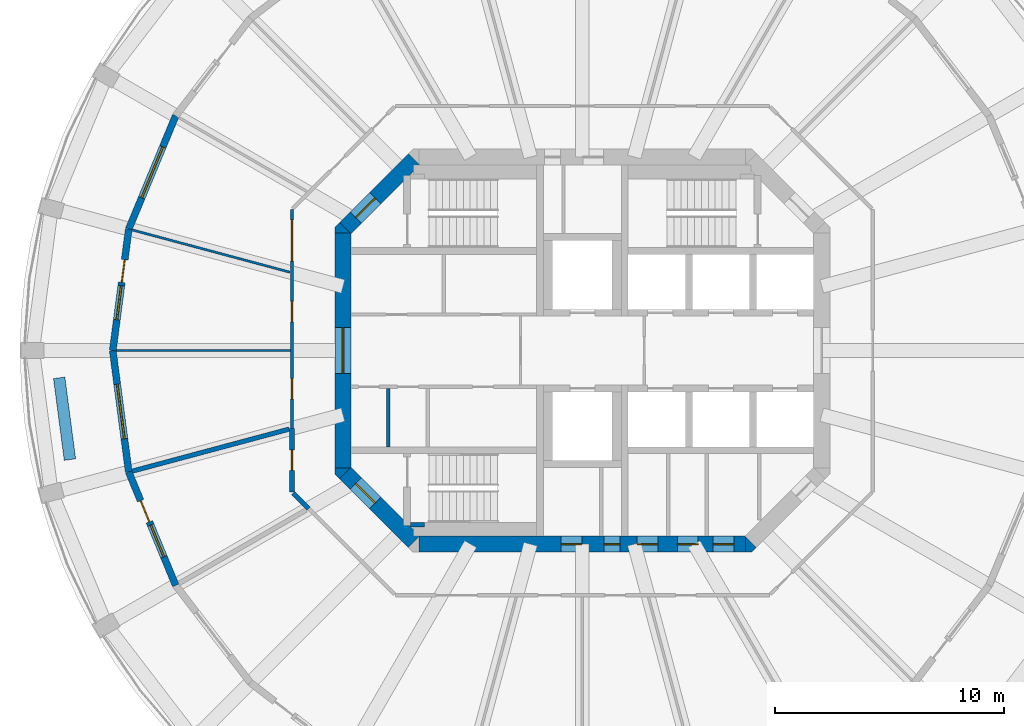
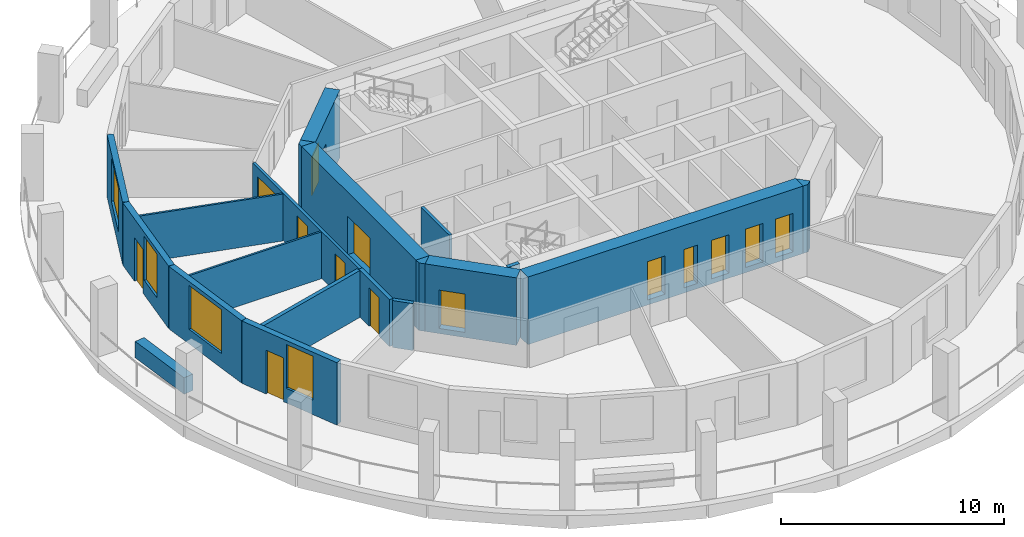
# One storey, part 3 of 9: 20 walls, 14 doors, 4 windows, 18 openings.
"""IFC4 building model written with IfcOpenShell, lengths in metres."""

from ifc_helpers import new_model, si_unit, direction, frame, frame_2d, origin, place, context, subcontext, project, spatial, polyline, rectangle, outline, extrude, material, layer, layer_set, type_object, element, fill, save


model = new_model("IFC4")

# Units and contexts
model_context = context("Model", 3, precision=1e-05, world=origin(), true_north=direction((0.0, 1.0)))
body_context = subcontext(model_context, "Body", "Model", "MODEL_VIEW")
ifc_project = project(units=[si_unit("LENGTHUNIT", "METRE"), si_unit("AREAUNIT", "SQUARE_METRE"), si_unit("VOLUMEUNIT", "CUBIC_METRE"), si_unit("PLANEANGLEUNIT", "RADIAN"), si_unit("MASSUNIT", "GRAM", prefix="KILO")], contexts=[model_context])

# Site, building, storey
site_placement = place(None, origin())
site = spatial("IfcSite", under=ifc_project, at=site_placement, CompositionType="ELEMENT")
building_placement = place(site_placement, origin())
building = spatial("IfcBuilding", under=site, at=building_placement, Name="Torre Triforio", CompositionType="ELEMENT")
storey_placement = place(building_placement, frame((0.0, 0.0, 240.89990234375)))
storey = spatial("IfcBuildingStorey", under=building, at=storey_placement, Name="L55", CompositionType="ELEMENT", Elevation=240.89990234375)

# Wall, openings, doors
ifc_material_1 = material(Name="Concrete C50", Category="concrete")
ifc_layer_1 = layer(ifc_material_1, 0.699951171875)
ifc_layer_set_1 = layer_set([ifc_layer_1], Name="Concrete C50")
wall_type_1 = type_object("IfcWallType", Name="Core wall 700 mm C50 EI 120", PredefinedType="SHEAR", material=ifc_layer_set_1)
wall_1_placement = place(storey_placement, frame((-7.1298828125, -8.449951171875, -0.27978515625), z_axis=(0.0, 0.0, 1.0), x_axis=(1.0, 0.0, 0.0)))
wall_1 = element("IfcWall", 1, at=wall_1_placement, inside=storey, type_object=wall_type_1, Name="Core wall", PredefinedType="SHEAR", context=body_context, shape_type="SweptSolid", body=[
    extrude(rectangle(XDim=14.259765625, YDim=0.699951171875, at=frame_2d((7.1298828125, 0.0))), origin(), (0.0, 0.0, 1.0), 3.699951171875),
])
opening_1_placement = place(wall_1_placement, frame((8.080078125, 0.0, 0.280029296875)))
opening_1 = element("IfcOpeningElement", 2, at=opening_1_placement, cuts=wall_1, Name="Opening RISER-S", PredefinedType="OPENING", context=body_context, shape_type="SweptSolid", body=[
    extrude(rectangle(XDim=0.699951171875, YDim=2.10009765625, at=frame_2d((0.35009765625, 1.050048828125))), frame((0.0, 0.35986328125, 0.0), z_axis=(0.0, -1.0, 0.0), x_axis=(1.0, 0.0, 0.0)), (0.0, 0.0, 1.0), 0.719970703125),
])
opening_2_placement = place(wall_1_placement, frame((6.205078125, 0.0, 0.280029296875)))
opening_2 = element("IfcOpeningElement", 3, at=opening_2_placement, cuts=wall_1, Name="Opening SW-01B", PredefinedType="OPENING", context=body_context, shape_type="SweptSolid", body=[
    extrude(rectangle(XDim=0.89990234375, YDim=2.10009765625, at=frame_2d((0.449951171875, 1.050048828125))), frame((0.0, 0.35986328125, 0.0), z_axis=(0.0, -1.0, 0.0), x_axis=(1.0, 0.0, 0.0)), (0.0, 0.0, 1.0), 0.719970703125),
])
opening_3_placement = place(wall_1_placement, frame((9.521484375, 0.0, 0.280029296875)))
opening_3 = element("IfcOpeningElement", 4, at=opening_3_placement, cuts=wall_1, Name="Opening SE-01", PredefinedType="OPENING", context=body_context, shape_type="SweptSolid", body=[
    extrude(rectangle(XDim=0.89990234375, YDim=2.10009765625, at=frame_2d((0.449951171875, 1.050048828125))), frame((0.0, 0.35986328125, 0.0), z_axis=(0.0, -1.0, 0.0), x_axis=(1.0, 0.0, 0.0)), (0.0, 0.0, 1.0), 0.719970703125),
])
opening_4_placement = place(wall_1_placement, frame((11.278076171875, 0.0, 0.280029296875)))
opening_4 = element("IfcOpeningElement", 5, at=opening_4_placement, cuts=wall_1, Name="Opening SE-02", PredefinedType="OPENING", context=body_context, shape_type="SweptSolid", body=[
    extrude(rectangle(XDim=0.89990234375, YDim=2.10009765625, at=frame_2d((0.449951171875, 1.050048828125))), frame((0.0, 0.35986328125, 0.0), z_axis=(0.0, -1.0, 0.0), x_axis=(1.0, 0.0, 0.0)), (0.0, 0.0, 1.0), 0.719970703125),
])
opening_5_placement = place(wall_1_placement, frame((12.840087890625, 0.0, 0.280029296875)))
opening_5 = element("IfcOpeningElement", 6, at=opening_5_placement, cuts=wall_1, Name="Opening SE-03", PredefinedType="OPENING", context=body_context, shape_type="SweptSolid", body=[
    extrude(rectangle(XDim=0.89990234375, YDim=2.10009765625, at=frame_2d((0.449951171875, 1.050048828125))), frame((0.0, 0.35986328125, 0.0), z_axis=(0.0, -1.0, 0.0), x_axis=(1.0, 0.0, 0.0)), (0.0, 0.0, 1.0), 0.719970703125),
])
ifc_material_2 = material(Name="Hollow metal fire door leaf")
door_type_1 = type_object("IfcDoorType", Name="Plant room door 900 x 2100 EI 60", OperationType="NOTDEFINED", PredefinedType="DOOR", material=ifc_material_2)
door_1_placement = place(opening_3_placement, origin())
door_1 = element("IfcDoor", 7, at=door_1_placement, inside=storey, type_object=door_type_1, Name="Core door SE-01", OperationType="SINGLE_SWING_LEFT", OverallHeight=2.10009765625, OverallWidth=0.89990234375, PredefinedType="DOOR", context=body_context, shape_type="SweptSolid", body=[
    extrude(rectangle(XDim=0.89990234375, YDim=2.10009765625, at=frame_2d((0.449951171875, 1.050048828125))), frame((0.0, 0.02490234375, 0.0), z_axis=(0.0, -1.0, 0.0), x_axis=(1.0, 0.0, 0.0)), (0.0, 0.0, 1.0), 0.050048828125),
])
fill(opening_3, door_1)
door_type_2 = type_object("IfcDoorType", Name="Riser door 700 x 2100 EI 60", OperationType="NOTDEFINED", PredefinedType="DOOR", material=ifc_material_2)
door_2_placement = place(opening_1_placement, origin())
door_2 = element("IfcDoor", 8, at=door_2_placement, inside=storey, type_object=door_type_2, Name="Core door RISER-S", OperationType="SINGLE_SWING_RIGHT", OverallHeight=2.10009765625, OverallWidth=0.699951171875, PredefinedType="DOOR", context=body_context, shape_type="SweptSolid", body=[
    extrude(rectangle(XDim=0.699951171875, YDim=2.10009765625, at=frame_2d((0.35009765625, 1.050048828125))), frame((0.0, 0.02490234375, 0.0), z_axis=(0.0, -1.0, 0.0), x_axis=(1.0, 0.0, 0.0)), (0.0, 0.0, 1.0), 0.050048828125),
])
fill(opening_1, door_2)
door_type_3 = type_object("IfcDoorType", Name="Room door 900 x 2100 EI 60", OperationType="NOTDEFINED", PredefinedType="DOOR", material=ifc_material_2)
door_3_placement = place(opening_2_placement, origin())
door_3 = element("IfcDoor", 9, at=door_3_placement, inside=storey, type_object=door_type_3, Name="Core door SW-01", OperationType="SINGLE_SWING_LEFT", OverallHeight=2.10009765625, OverallWidth=0.89990234375, PredefinedType="DOOR", context=body_context, shape_type="SweptSolid", body=[
    extrude(rectangle(XDim=0.89990234375, YDim=2.10009765625, at=frame_2d((0.449951171875, 1.050048828125))), frame((0.0, 0.02490234375, 0.0), z_axis=(0.0, -1.0, 0.0), x_axis=(1.0, 0.0, 0.0)), (0.0, 0.0, 1.0), 0.050048828125),
])
fill(opening_2, door_3)
door_4_placement = place(opening_4_placement, origin())
door_4 = element("IfcDoor", 10, at=door_4_placement, inside=storey, type_object=door_type_3, Name="Core door SE-02", OperationType="SINGLE_SWING_LEFT", OverallHeight=2.10009765625, OverallWidth=0.89990234375, PredefinedType="DOOR", context=body_context, shape_type="SweptSolid", body=[
    extrude(rectangle(XDim=0.89990234375, YDim=2.10009765625, at=frame_2d((0.449951171875, 1.050048828125))), frame((0.0, 0.02490234375, 0.0), z_axis=(0.0, -1.0, 0.0), x_axis=(1.0, 0.0, 0.0)), (0.0, 0.0, 1.0), 0.050048828125),
])
fill(opening_4, door_4)
door_5_placement = place(opening_5_placement, origin())
door_5 = element("IfcDoor", 11, at=door_5_placement, inside=storey, type_object=door_type_3, Name="Core door SE-03", OperationType="SINGLE_SWING_LEFT", OverallHeight=2.10009765625, OverallWidth=0.89990234375, PredefinedType="DOOR", context=body_context, shape_type="SweptSolid", body=[
    extrude(rectangle(XDim=0.89990234375, YDim=2.10009765625, at=frame_2d((0.449951171875, 1.050048828125))), frame((0.0, 0.02490234375, 0.0), z_axis=(0.0, -1.0, 0.0), x_axis=(1.0, 0.0, 0.0)), (0.0, 0.0, 1.0), 0.050048828125),
])
fill(opening_5, door_5)

# Wall, opening, door
wall_2_placement = place(storey_placement, frame((-10.449951171875, -5.1298828125, -0.27978515625), z_axis=(0.0, 0.0, 1.0), x_axis=(0.0, 1.0, 0.0)))
wall_2 = element("IfcWall", 12, at=wall_2_placement, inside=storey, type_object=wall_type_1, Name="Core wall", PredefinedType="SHEAR", context=body_context, shape_type="SweptSolid", body=[
    extrude(rectangle(XDim=10.259765625, YDim=0.699951171875, at=frame_2d((5.1298828125, 0.0))), origin(), (0.0, 0.0, 1.0), 3.699951171875),
])
opening_6_placement = place(wall_2_placement, frame((4.1298828125, 0.0, 0.280029296875)))
opening_6 = element("IfcOpeningElement", 13, at=opening_6_placement, cuts=wall_2, Name="Opening W-RING", PredefinedType="OPENING", context=body_context, shape_type="SweptSolid", body=[
    extrude(rectangle(XDim=2.0, YDim=2.10009765625, at=frame_2d((1.0, 1.050048828125))), frame((0.0, 0.35986328125, 0.0), z_axis=(0.0, -1.0, 0.0), x_axis=(1.0, 0.0, 0.0)), (0.0, 0.0, 1.0), 0.719970703125),
])
door_type_4 = type_object("IfcDoorType", Name="Lobby door 2000 x 2100 EI 60", OperationType="DOUBLE_DOOR_SINGLE_SWING", PredefinedType="DOOR", material=ifc_material_2)
door_6_placement = place(opening_6_placement, origin())
door_6 = element("IfcDoor", 14, at=door_6_placement, inside=storey, type_object=door_type_4, Name="Core door W-RING", OperationType="DOUBLE_DOOR_SINGLE_SWING", OverallHeight=2.10009765625, OverallWidth=2.0, PredefinedType="DOOR", context=body_context, shape_type="SweptSolid", body=[
    extrude(rectangle(XDim=2.0, YDim=2.10009765625, at=frame_2d((1.0, 1.050048828125))), frame((0.0, 0.02490234375, 0.0), z_axis=(0.0, -1.0, 0.0), x_axis=(1.0, 0.0, 0.0)), (0.0, 0.0, 1.0), 0.050048828125),
])
fill(opening_6, door_6)

wall_3_placement = place(storey_placement, frame((-10.347412109375, 5.347412109375, -0.27978515625), z_axis=(0.0, 0.0, 1.0), x_axis=(0.707106781187, 0.707106781187, 0.0)))
wall_3 = element("IfcWall", 15, at=wall_3_placement, inside=storey, type_object=wall_type_1, Name="Core wall", PredefinedType="SHEAR", context=body_context, shape_type="SweptSolid", body=[
    extrude(rectangle(XDim=4.24267578125, YDim=0.699951171875, at=frame_2d((2.121337890625, 0.0))), origin(), (0.0, 0.0, 1.0), 3.699951171875),
])
opening_7_placement = place(wall_3_placement, frame((0.64990234375, 0.0, 0.280029296875)))
opening_7 = element("IfcOpeningElement", 16, at=opening_7_placement, cuts=wall_3, Name="Opening ST1-EXIT", PredefinedType="OPENING", context=body_context, shape_type="SweptSolid", body=[
    extrude(rectangle(XDim=1.199951171875, YDim=2.10009765625, at=frame_2d((0.60009765625, 1.050048828125))), frame((0.0, 0.35986328125, 0.0), z_axis=(0.0, -1.0, 0.0), x_axis=(1.0, 0.0, 0.0)), (0.0, 0.0, 1.0), 0.719970703125),
])
door_type_5 = type_object("IfcDoorType", Name="Stair lobby door 1200 x 2100 EI 60", OperationType="NOTDEFINED", PredefinedType="DOOR", material=ifc_material_2)
door_7_placement = place(opening_7_placement, origin())
door_7 = element("IfcDoor", 17, at=door_7_placement, inside=storey, type_object=door_type_5, Name="Core door ST1-EXIT", OperationType="SINGLE_SWING_RIGHT", OverallHeight=2.10009765625, OverallWidth=1.199951171875, PredefinedType="DOOR", context=body_context, shape_type="SweptSolid", body=[
    extrude(rectangle(XDim=1.199951171875, YDim=2.10009765625, at=frame_2d((0.60009765625, 1.050048828125))), frame((0.0, 0.02490234375, 0.0), z_axis=(0.0, -1.0, 0.0), x_axis=(1.0, 0.0, 0.0)), (0.0, 0.0, 1.0), 0.050048828125),
])
fill(opening_7, door_7)

wall_4_placement = place(storey_placement, frame((-7.347412109375, -8.347412109375, -0.27978515625), z_axis=(0.0, 0.0, 1.0), x_axis=(-0.707106781187, 0.707106781187, 0.0)))
wall_4 = element("IfcWall", 18, at=wall_4_placement, inside=storey, type_object=wall_type_1, Name="Core wall", PredefinedType="SHEAR", context=body_context, shape_type="SweptSolid", body=[
    extrude(rectangle(XDim=4.24267578125, YDim=0.699951171875, at=frame_2d((2.121337890625, 0.0))), origin(), (0.0, 0.0, 1.0), 3.699951171875),
])
opening_8_placement = place(wall_4_placement, frame((2.392578125, 0.0, 0.280029296875)))
opening_8 = element("IfcOpeningElement", 19, at=opening_8_placement, cuts=wall_4, Name="Opening ST3-EXIT", PredefinedType="OPENING", context=body_context, shape_type="SweptSolid", body=[
    extrude(rectangle(XDim=1.199951171875, YDim=2.10009765625, at=frame_2d((0.60009765625, 1.050048828125))), frame((0.0, 0.35986328125, 0.0), z_axis=(0.0, -1.0, 0.0), x_axis=(1.0, 0.0, 0.0)), (0.0, 0.0, 1.0), 0.719970703125),
])
door_8_placement = place(opening_8_placement, origin())
door_8 = element("IfcDoor", 20, at=door_8_placement, inside=storey, type_object=door_type_5, Name="Core door ST3-EXIT", OperationType="SINGLE_SWING_RIGHT", OverallHeight=2.10009765625, OverallWidth=1.199951171875, PredefinedType="DOOR", context=body_context, shape_type="SweptSolid", body=[
    extrude(rectangle(XDim=1.199951171875, YDim=2.10009765625, at=frame_2d((0.60009765625, 1.050048828125))), frame((0.0, 0.02490234375, 0.0), z_axis=(0.0, -1.0, 0.0), x_axis=(1.0, 0.0, 0.0)), (0.0, 0.0, 1.0), 0.050048828125),
])
fill(opening_8, door_8)

# Walls
wall_5_placement = place(storey_placement, frame((0.0, 0.0, -0.27978515625)))
element("IfcWall", 21, at=wall_5_placement, inside=storey, type_object=wall_type_1, Name="Core wall", PredefinedType="SHEAR", context=body_context, shape_type="SweptSolid", body=[
    extrude(outline(polyline([(7.389892578125, -8.800048828125), (7.1298828125, -8.800048828125), (7.1298828125, -8.800048828125), (7.1298828125, -8.1298828125), (7.594970703125, -8.594970703125), (7.594970703125, -8.594970703125), (7.594970703125, -8.594970703125), (7.389892578125, -8.800048828125)])), origin(), (0.0, 0.0, 1.0), 3.699951171875),
])
wall_6_placement = place(storey_placement, frame((0.0, 0.0, -0.27978515625)))
element("IfcWall", 22, at=wall_6_placement, inside=storey, type_object=wall_type_1, Name="Core wall", PredefinedType="SHEAR", context=body_context, shape_type="SweptSolid", body=[
    extrude(outline(polyline([(-10.800048828125, -5.389892578125), (-10.800048828125, -5.1298828125), (-10.800048828125, -5.1298828125), (-10.1298828125, -5.1298828125), (-10.594970703125, -5.594970703125), (-10.594970703125, -5.594970703125), (-10.594970703125, -5.594970703125), (-10.800048828125, -5.389892578125)])), origin(), (0.0, 0.0, 1.0), 3.699951171875),
])
wall_7_placement = place(storey_placement, frame((0.0, 0.0, -0.27978515625)))
element("IfcWall", 23, at=wall_7_placement, inside=storey, type_object=wall_type_1, Name="Core wall", PredefinedType="SHEAR", context=body_context, shape_type="SweptSolid", body=[
    extrude(outline(polyline([(-10.594970703125, 5.594970703125), (-10.594970703125, 5.594970703125), (-10.594970703125, 5.594970703125), (-10.1298828125, 5.1298828125), (-10.800048828125, 5.1298828125), (-10.800048828125, 5.1298828125), (-10.800048828125, 5.389892578125), (-10.594970703125, 5.594970703125)])), origin(), (0.0, 0.0, 1.0), 3.699951171875),
])

# Wall, openings, doors
ifc_material_3 = material(Name="Plasterboard on metal studs")
ifc_layer_2 = layer(ifc_material_3, 0.14990234375)
ifc_layer_set_2 = layer_set([ifc_layer_2], Name="Plasterboard on metal studs")
wall_type_2 = type_object("IfcWallType", Name="Corridor and tenancy wall 150 mm EI 60", PredefinedType="PARTITIONING", material=ifc_layer_set_2)
wall_8_placement = place(storey_placement, frame((-12.675048828125, -3.396240234375, 0.0), z_axis=(0.0, 0.0, 1.0), x_axis=(0.0, 1.0, 0.0)))
wall_8 = element("IfcWall", 24, at=wall_8_placement, inside=storey, type_object=wall_type_2, Name="Partition 6", PredefinedType="PARTITIONING", context=body_context, shape_type="SweptSolid", body=[
    extrude(rectangle(XDim=9.562744140625, YDim=0.14990234375, at=frame_2d((4.78125, 0.0))), origin(), (0.0, 0.0, 1.0), 2.570068359375),
])
opening_9_placement = place(wall_8_placement, frame((7.302734375, 0.0, 0.0)))
opening_9 = element("IfcOpeningElement", 25, at=opening_9_placement, cuts=wall_8, Name="Opening O8-13", PredefinedType="OPENING", context=body_context, shape_type="SweptSolid", body=[
    extrude(rectangle(XDim=1.800048828125, YDim=2.10009765625, at=frame_2d((0.89990234375, 1.050048828125))), frame((0.0, 0.0849609375, 0.0), z_axis=(0.0, -1.0, 0.0), x_axis=(1.0, 0.0, 0.0)), (0.0, 0.0, 1.0), 0.169921875),
])
opening_10_placement = place(wall_8_placement, frame((4.645263671875, 0.0, 0.0)))
opening_10 = element("IfcOpeningElement", 26, at=opening_10_placement, cuts=wall_8, Name="Opening O8-14", PredefinedType="OPENING", context=body_context, shape_type="SweptSolid", body=[
    extrude(rectangle(XDim=0.89990234375, YDim=2.10009765625, at=frame_2d((0.449951171875, 1.050048828125))), frame((0.0, 0.0849609375, 0.0), z_axis=(0.0, -1.0, 0.0), x_axis=(1.0, 0.0, 0.0)), (0.0, 0.0, 1.0), 0.169921875),
])
opening_11_placement = place(wall_8_placement, frame((1.273193359375, 0.0, 0.0)))
opening_11 = element("IfcOpeningElement", 27, at=opening_11_placement, cuts=wall_8, Name="Opening O8-15", PredefinedType="OPENING", context=body_context, shape_type="SweptSolid", body=[
    extrude(rectangle(XDim=0.89990234375, YDim=2.10009765625, at=frame_2d((0.449951171875, 1.050048828125))), frame((0.0, 0.0849609375, 0.0), z_axis=(0.0, -1.0, 0.0), x_axis=(1.0, 0.0, 0.0)), (0.0, 0.0, 1.0), 0.169921875),
])
ifc_material_4 = material(Name="Timber", Category="wood")
door_type_6 = type_object("IfcDoorType", Name="Door 1800 x 2100 double leaf EI 30", OperationType="DOUBLE_DOOR_SINGLE_SWING", PredefinedType="DOOR", material=ifc_material_4)
door_9_placement = place(opening_9_placement, origin())
door_9 = element("IfcDoor", 28, at=door_9_placement, inside=storey, type_object=door_type_6, Name="Door O8-13", OperationType="DOUBLE_DOOR_SINGLE_SWING", OverallHeight=2.10009765625, OverallWidth=1.800048828125, PredefinedType="DOOR", context=body_context, shape_type="SweptSolid", body=[
    extrude(rectangle(XDim=1.800048828125, YDim=2.10009765625, at=frame_2d((0.89990234375, 1.050048828125))), frame((0.0, 0.02490234375, 0.0), z_axis=(0.0, -1.0, 0.0), x_axis=(1.0, 0.0, 0.0)), (0.0, 0.0, 1.0), 0.050048828125),
])
fill(opening_9, door_9)
door_type_7 = type_object("IfcDoorType", Name="Door 900 x 2100 single leaf EI 30", OperationType="NOTDEFINED", PredefinedType="DOOR", material=ifc_material_4)
door_10_placement = place(opening_10_placement, origin())
door_10 = element("IfcDoor", 29, at=door_10_placement, inside=storey, type_object=door_type_7, Name="Door O8-14", OperationType="SINGLE_SWING_LEFT", OverallHeight=2.10009765625, OverallWidth=0.89990234375, PredefinedType="DOOR", context=body_context, shape_type="SweptSolid", body=[
    extrude(rectangle(XDim=0.89990234375, YDim=2.10009765625, at=frame_2d((0.449951171875, 1.050048828125))), frame((0.0, 0.02490234375, 0.0), z_axis=(0.0, -1.0, 0.0), x_axis=(1.0, 0.0, 0.0)), (0.0, 0.0, 1.0), 0.050048828125),
])
fill(opening_10, door_10)
door_11_placement = place(opening_11_placement, origin())
door_11 = element("IfcDoor", 30, at=door_11_placement, inside=storey, type_object=door_type_7, Name="Door O8-15", OperationType="SINGLE_SWING_LEFT", OverallHeight=2.10009765625, OverallWidth=0.89990234375, PredefinedType="DOOR", context=body_context, shape_type="SweptSolid", body=[
    extrude(rectangle(XDim=0.89990234375, YDim=2.10009765625, at=frame_2d((0.449951171875, 1.050048828125))), frame((0.0, 0.02490234375, 0.0), z_axis=(0.0, -1.0, 0.0), x_axis=(1.0, 0.0, 0.0)), (0.0, 0.0, 1.0), 0.050048828125),
])
fill(opening_11, door_11)

# Walls
ifc_layer_3 = layer(ifc_material_3, 0.10009765625)
ifc_layer_set_3 = layer_set([ifc_layer_3], Name="Plasterboard on metal studs")
wall_type_3 = type_object("IfcWallType", Name="Partition 100 mm board on metal studs", PredefinedType="PARTITIONING", material=ifc_layer_set_3)
wall_9_placement = place(storey_placement, frame((-12.764404296875, 3.420166015625, 0.0), z_axis=(0.0, 0.0, 1.0), x_axis=(-0.965928160208, 0.258810334643, 0.0)))
element("IfcWall", 31, at=wall_9_placement, inside=storey, type_object=wall_type_3, Name="Partition 18", PredefinedType="PARTITIONING", context=body_context, shape_type="SweptSolid", body=[
    extrude(rectangle(XDim=7.1220703125, YDim=0.10009765625, at=frame_2d((3.56103515625, 0.0))), origin(), (0.0, 0.0, 1.0), 2.570068359375),
])
wall_10_placement = place(storey_placement, frame((-12.75, 0.0, 0.0), z_axis=(0.0, 0.0, 1.0), x_axis=(-1.0, 0.0, 0.0)))
element("IfcWall", 32, at=wall_10_placement, inside=storey, type_object=wall_type_3, Name="Partition 19", PredefinedType="PARTITIONING", context=body_context, shape_type="SweptSolid", body=[
    extrude(rectangle(XDim=7.586669921875, YDim=0.10009765625, at=frame_2d((3.79345703125, 0.0))), origin(), (0.0, 0.0, 1.0), 2.570068359375),
])
ifc_material_5 = material(Name="Block and board partition")
ifc_layer_4 = layer(ifc_material_5, 0.14990234375)
ifc_layer_set_4 = layer_set([ifc_layer_4], Name="Block and board partition")
wall_type_4 = type_object("IfcWallType", Name="Partition 150 mm", PredefinedType="PARTITIONING", material=ifc_layer_set_4)
wall_11_placement = place(storey_placement, frame((-8.465087890625, -4.199951171875, 0.0), z_axis=(0.0, 0.0, 1.0), x_axis=(0.0, 1.0, 0.0)))
element("IfcWall", 33, at=wall_11_placement, inside=storey, type_object=wall_type_4, Name="Partition", PredefinedType="PARTITIONING", context=body_context, shape_type="SweptSolid", body=[
    extrude(rectangle(XDim=2.550048828125, YDim=0.14990234375, at=frame_2d((1.27490234375, 0.0))), origin(), (0.0, 0.0, 1.0), 3.420166015625),
])
ifc_material_6 = material(Name="Masonry block", Category="masonry")
ifc_layer_5 = layer(ifc_material_6, 0.199951171875)
ifc_layer_set_5 = layer_set([ifc_layer_5], Name="Masonry block")
wall_type_5 = type_object("IfcWallType", Name="Plant room wall 200 mm block EI 120", PredefinedType="PARTITIONING", material=ifc_layer_set_5)
wall_12_placement = place(storey_placement, frame((-11.945068359375, -6.896484375, 0.0), z_axis=(0.0, 0.0, 1.0), x_axis=(-0.707106781187, 0.707106781187, 0.0)))
element("IfcWall", 34, at=wall_12_placement, inside=storey, type_object=wall_type_5, Name="Partition 4", PredefinedType="PARTITIONING", context=body_context, shape_type="SweptSolid", body=[
    extrude(rectangle(XDim=0.962158203125, YDim=0.199951171875, at=frame_2d((0.48095703125, 0.0))), origin(), (0.0, 0.0, 1.0), 2.570068359375),
])

# Wall, opening, door
wall_13_placement = place(storey_placement, frame((-12.675048828125, -6.16650390625, 0.0), z_axis=(0.0, 0.0, 1.0), x_axis=(0.0, 1.0, 0.0)))
wall_13 = element("IfcWall", 35, at=wall_13_placement, inside=storey, type_object=wall_type_5, Name="Partition 5", PredefinedType="PARTITIONING", context=body_context, shape_type="SweptSolid", body=[
    extrude(rectangle(XDim=2.770263671875, YDim=0.199951171875, at=frame_2d((1.38525390625, 0.0))), origin(), (0.0, 0.0, 1.0), 2.570068359375),
])
opening_12_placement = place(wall_13_placement, frame((0.935302734375, 0.0, 0.0)))
opening_12 = element("IfcOpeningElement", 36, at=opening_12_placement, cuts=wall_13, Name="Opening O8-16", PredefinedType="OPENING", context=body_context, shape_type="SweptSolid", body=[
    extrude(rectangle(XDim=0.89990234375, YDim=2.10009765625, at=frame_2d((0.449951171875, 1.050048828125))), frame((0.0, 0.10986328125, 0.0), z_axis=(0.0, -1.0, 0.0), x_axis=(1.0, 0.0, 0.0)), (0.0, 0.0, 1.0), 0.219970703125),
])
door_type_8 = type_object("IfcDoorType", Name="Door 900 x 2100 single leaf EI 60", OperationType="NOTDEFINED", PredefinedType="DOOR", material=ifc_material_2)
door_12_placement = place(opening_12_placement, origin())
door_12 = element("IfcDoor", 37, at=door_12_placement, inside=storey, type_object=door_type_8, Name="Door O8-16", OperationType="SINGLE_SWING_LEFT", OverallHeight=2.10009765625, OverallWidth=0.89990234375, PredefinedType="DOOR", context=body_context, shape_type="SweptSolid", body=[
    extrude(rectangle(XDim=0.89990234375, YDim=2.10009765625, at=frame_2d((0.449951171875, 1.050048828125))), frame((0.0, 0.02490234375, 0.0), z_axis=(0.0, -1.0, 0.0), x_axis=(1.0, 0.0, 0.0)), (0.0, 0.0, 1.0), 0.050048828125),
])
fill(opening_12, door_12)

# Walls
wall_14_placement = place(storey_placement, frame((-12.800537109375, -3.429931640625, 0.0), z_axis=(0.0, 0.0, 1.0), x_axis=(-0.965931131848, -0.258799243674, 0.0)))
element("IfcWall", 38, at=wall_14_placement, inside=storey, type_object=wall_type_5, Name="Partition 20", PredefinedType="PARTITIONING", context=body_context, shape_type="SweptSolid", body=[
    extrude(rectangle(XDim=7.084716796875, YDim=0.199951171875, at=frame_2d((3.54248046875, 0.0))), origin(), (0.0, 0.0, 1.0), 2.570068359375),
])
ifc_material_7 = material(Name="Limestone cladding", Category="masonry")
ifc_layer_6 = layer(ifc_material_7, 0.10009765625)
ifc_material_8 = material(Name="Concrete C40", Category="concrete")
ifc_layer_7 = layer(ifc_material_8, 0.39990234375)
ifc_layer_set_6 = layer_set([ifc_layer_6, ifc_layer_7], Name="Limestone cladding / Concrete C40")
wall_type_6 = type_object("IfcWallType", Name="Planter wall 500", PredefinedType="PARAPET", material=ifc_layer_set_6)
wall_15_placement = place(storey_placement, frame((-22.83984375, -1.19140625, 0.0), z_axis=(0.0, 0.0, 1.0), x_axis=(0.130484336385, -0.9914503709, 0.0)))
element("IfcWall", 39, at=wall_15_placement, inside=storey, type_object=wall_type_6, Name="Planter L55 bay 13", PredefinedType="PARAPET", context=body_context, shape_type="SweptSolid", body=[
    extrude(rectangle(XDim=3.599853515625, YDim=0.5, at=frame_2d((1.7998046875, 0.0))), origin(), (0.0, 0.0, 1.0), 0.900146484375),
])
ifc_layer_8 = layer(ifc_material_1, 0.199951171875)
ifc_layer_set_7 = layer_set([ifc_layer_8], Name="Concrete C50")
wall_type_7 = type_object("IfcWallType", Name="Stair wall 200 mm C50 EI 120", PredefinedType="SHEAR", material=ifc_layer_set_7)
wall_16_placement = place(storey_placement, frame((-7.5, -7.60009765625, 0.0), z_axis=(0.0, 0.0, 1.0), x_axis=(1.0, 0.0, 0.0)))
element("IfcWall", 40, at=wall_16_placement, inside=storey, type_object=wall_type_7, Name="Stair wall", PredefinedType="SHEAR", context=body_context, shape_type="SweptSolid", body=[
    extrude(rectangle(XDim=0.60009765625, YDim=0.199951171875, at=frame_2d((0.300048828125, 0.0))), origin(), (0.0, 0.0, 1.0), 3.420166015625),
])

# Wall, opening, window
ifc_layer_9 = layer(ifc_material_7, 0.10009765625)
ifc_layer_10 = layer(ifc_material_8, 0.199951171875)
ifc_layer_set_8 = layer_set([ifc_layer_9, ifc_layer_10], Name="Limestone cladding / Concrete C40")
wall_type_8 = type_object("IfcWallType", Name="Stone-faced composite wall 300", PredefinedType="STANDARD", material=ifc_layer_set_8)
wall_17_placement = place(storey_placement, frame((-17.75341796875, 10.25, 0.0), z_axis=(0.0, 0.0, 1.0), x_axis=(-0.382713071139, -0.923867255172, 0.0)))
wall_17 = element("IfcWall", 41, at=wall_17_placement, inside=storey, type_object=wall_type_8, Name="External wall L55 bay 11", PredefinedType="STANDARD", context=body_context, shape_type="SweptSolid", body=[
    extrude(rectangle(XDim=5.3515625, YDim=0.300048828125, at=frame_2d((2.67578125, 0.0))), origin(), (0.0, 0.0, 1.0), 3.420166015625),
])
opening_13_placement = place(wall_17_placement, frame((1.475830078125, 0.0, 0.800048828125)))
opening_13 = element("IfcOpeningElement", 42, at=opening_13_placement, cuts=wall_17, Name="Opening O8-W11", PredefinedType="OPENING", context=body_context, shape_type="SweptSolid", body=[
    extrude(rectangle(XDim=2.39990234375, YDim=2.39990234375, at=frame_2d((1.199951171875, 1.199951171875))), frame((0.0, 0.159912109375, 0.0), z_axis=(0.0, -1.0, 0.0), x_axis=(1.0, 0.0, 0.0)), (0.0, 0.0, 1.0), 0.320068359375),
])
ifc_material_9 = material(Name="Aluminium frame with clear double glazing", Category="aluminium")
window_type_1 = type_object("IfcWindowType", Name="Punched window 2400 x 2400", PartitioningType="DOUBLE_PANEL_VERTICAL", PredefinedType="WINDOW", material=ifc_material_9)
window_1_placement = place(opening_13_placement, origin())
window_1 = element("IfcWindow", 43, at=window_1_placement, inside=storey, type_object=window_type_1, Name="Window EWN4 L55 bay 11", OverallHeight=2.39990234375, OverallWidth=2.39990234375, PartitioningType="SINGLE_PANEL", PredefinedType="WINDOW", context=body_context, shape_type="SweptSolid", body=[
    extrude(rectangle(XDim=2.39990234375, YDim=2.39990234375, at=frame_2d((1.199951171875, 1.199951171875))), frame((0.0, 0.030029296875, 0.0), z_axis=(0.0, -1.0, 0.0), x_axis=(1.0, 0.0, 0.0)), (0.0, 0.0, 1.0), 0.06005859375),
])
fill(opening_13, window_1)

# Wall, openings, door, window
wall_18_placement = place(storey_placement, frame((-19.801513671875, 5.305908203125, 0.0), z_axis=(0.0, 0.0, 1.0), x_axis=(-0.130517056518, -0.991446064069, 0.0)))
wall_18 = element("IfcWall", 44, at=wall_18_placement, inside=storey, type_object=wall_type_8, Name="External wall L55 bay 12", PredefinedType="STANDARD", context=body_context, shape_type="SweptSolid", body=[
    extrude(rectangle(XDim=5.351806640625, YDim=0.300048828125, at=frame_2d((2.67578125, 0.0))), origin(), (0.0, 0.0, 1.0), 3.420166015625),
])
opening_14_placement = place(wall_18_placement, frame((1.350830078125, 0.0, 0.0)))
opening_14 = element("IfcOpeningElement", 45, at=opening_14_placement, cuts=wall_18, Name="Opening O8-D12", PredefinedType="OPENING", context=body_context, shape_type="SweptSolid", body=[
    extrude(rectangle(XDim=1.0, YDim=2.39990234375, at=frame_2d((0.5, 1.199951171875))), frame((0.0, 0.159912109375, 0.0), z_axis=(0.0, -1.0, 0.0), x_axis=(1.0, 0.0, 0.0)), (0.0, 0.0, 1.0), 0.320068359375),
])
opening_15_placement = place(wall_18_placement, frame((2.500732421875, 0.0, 0.800048828125)))
opening_15 = element("IfcOpeningElement", 46, at=opening_15_placement, cuts=wall_18, Name="Opening O8-W12A", PredefinedType="OPENING", context=body_context, shape_type="SweptSolid", body=[
    extrude(rectangle(XDim=1.5, YDim=2.39990234375, at=frame_2d((0.75, 1.199951171875))), frame((0.0, 0.159912109375, 0.0), z_axis=(0.0, -1.0, 0.0), x_axis=(1.0, 0.0, 0.0)), (0.0, 0.0, 1.0), 0.320068359375),
])
door_type_9 = type_object("IfcDoorType", Name="Loggia door 1000 x 2400", OperationType="NOTDEFINED", PredefinedType="DOOR", material=ifc_material_9)
door_13_placement = place(opening_14_placement, origin())
door_13 = element("IfcDoor", 47, at=door_13_placement, inside=storey, type_object=door_type_9, Name="Loggia door L55 bay 12", OperationType="SINGLE_SWING_LEFT", OverallHeight=2.39990234375, OverallWidth=1.0, PredefinedType="DOOR", context=body_context, shape_type="SweptSolid", body=[
    extrude(rectangle(XDim=1.0, YDim=2.39990234375, at=frame_2d((0.5, 1.199951171875))), frame((0.0, 0.02490234375, 0.0), z_axis=(0.0, -1.0, 0.0), x_axis=(1.0, 0.0, 0.0)), (0.0, 0.0, 1.0), 0.050048828125),
])
fill(opening_14, door_13)
window_type_2 = type_object("IfcWindowType", Name="Side window 1500 x 2400", PartitioningType="SINGLE_PANEL", PredefinedType="WINDOW", material=ifc_material_9)
window_2_placement = place(opening_15_placement, origin())
window_2 = element("IfcWindow", 48, at=window_2_placement, inside=storey, type_object=window_type_2, Name="Side window EWN14 L55 bay 12", OverallHeight=2.39990234375, OverallWidth=1.5, PartitioningType="SINGLE_PANEL", PredefinedType="WINDOW", context=body_context, shape_type="SweptSolid", body=[
    extrude(rectangle(XDim=1.5, YDim=2.39990234375, at=frame_2d((0.75, 1.199951171875))), frame((0.0, 0.030029296875, 0.0), z_axis=(0.0, -1.0, 0.0), x_axis=(1.0, 0.0, 0.0)), (0.0, 0.0, 1.0), 0.06005859375),
])
fill(opening_15, window_2)

# Wall, opening, window
wall_19_placement = place(storey_placement, frame((-20.5, 0.0, 0.0), z_axis=(0.0, 0.0, 1.0), x_axis=(0.130517056518, -0.991446064069, 0.0)))
wall_19 = element("IfcWall", 49, at=wall_19_placement, inside=storey, type_object=wall_type_8, Name="External wall L55 bay 13", PredefinedType="STANDARD", context=body_context, shape_type="SweptSolid", body=[
    extrude(rectangle(XDim=5.351806640625, YDim=0.300048828125, at=frame_2d((2.67578125, 0.0))), origin(), (0.0, 0.0, 1.0), 3.420166015625),
])
opening_16_placement = place(wall_19_placement, frame((1.475830078125, 0.0, 0.800048828125)))
opening_16 = element("IfcOpeningElement", 50, at=opening_16_placement, cuts=wall_19, Name="Opening O8-W13", PredefinedType="OPENING", context=body_context, shape_type="SweptSolid", body=[
    extrude(rectangle(XDim=2.39990234375, YDim=2.39990234375, at=frame_2d((1.199951171875, 1.199951171875))), frame((0.0, 0.159912109375, 0.0), z_axis=(0.0, -1.0, 0.0), x_axis=(1.0, 0.0, 0.0)), (0.0, 0.0, 1.0), 0.320068359375),
])
window_3_placement = place(opening_16_placement, origin())
window_3 = element("IfcWindow", 51, at=window_3_placement, inside=storey, type_object=window_type_1, Name="Window EWN4 L55 bay 13", OverallHeight=2.39990234375, OverallWidth=2.39990234375, PartitioningType="SINGLE_PANEL", PredefinedType="WINDOW", context=body_context, shape_type="SweptSolid", body=[
    extrude(rectangle(XDim=2.39990234375, YDim=2.39990234375, at=frame_2d((1.199951171875, 1.199951171875))), frame((0.0, 0.030029296875, 0.0), z_axis=(0.0, -1.0, 0.0), x_axis=(1.0, 0.0, 0.0)), (0.0, 0.0, 1.0), 0.06005859375),
])
fill(opening_16, window_3)

# Wall, openings, door, window
wall_20_placement = place(storey_placement, frame((-19.801513671875, -5.305908203125, 0.0), z_axis=(0.0, 0.0, 1.0), x_axis=(0.382713071139, -0.923867255172, 0.0)))
wall_20 = element("IfcWall", 52, at=wall_20_placement, inside=storey, type_object=wall_type_8, Name="External wall L55 bay 14", PredefinedType="STANDARD", context=body_context, shape_type="SweptSolid", body=[
    extrude(rectangle(XDim=5.3515625, YDim=0.300048828125, at=frame_2d((2.67578125, 0.0))), origin(), (0.0, 0.0, 1.0), 3.420166015625),
])
opening_17_placement = place(wall_20_placement, frame((1.350830078125, 0.0, 0.0)))
opening_17 = element("IfcOpeningElement", 53, at=opening_17_placement, cuts=wall_20, Name="Opening O8-D14", PredefinedType="OPENING", context=body_context, shape_type="SweptSolid", body=[
    extrude(rectangle(XDim=1.0, YDim=2.39990234375, at=frame_2d((0.5, 1.199951171875))), frame((0.0, 0.159912109375, 0.0), z_axis=(0.0, -1.0, 0.0), x_axis=(1.0, 0.0, 0.0)), (0.0, 0.0, 1.0), 0.320068359375),
])
opening_18_placement = place(wall_20_placement, frame((2.500732421875, 0.0, 0.800048828125)))
opening_18 = element("IfcOpeningElement", 54, at=opening_18_placement, cuts=wall_20, Name="Opening O8-W14A", PredefinedType="OPENING", context=body_context, shape_type="SweptSolid", body=[
    extrude(rectangle(XDim=1.5, YDim=2.39990234375, at=frame_2d((0.75, 1.199951171875))), frame((0.0, 0.159912109375, 0.0), z_axis=(0.0, -1.0, 0.0), x_axis=(1.0, 0.0, 0.0)), (0.0, 0.0, 1.0), 0.320068359375),
])
door_14_placement = place(opening_17_placement, origin())
door_14 = element("IfcDoor", 55, at=door_14_placement, inside=storey, type_object=door_type_9, Name="Loggia door L55 bay 14", OperationType="SINGLE_SWING_LEFT", OverallHeight=2.39990234375, OverallWidth=1.0, PredefinedType="DOOR", context=body_context, shape_type="SweptSolid", body=[
    extrude(rectangle(XDim=1.0, YDim=2.39990234375, at=frame_2d((0.5, 1.199951171875))), frame((0.0, 0.02490234375, 0.0), z_axis=(0.0, -1.0, 0.0), x_axis=(1.0, 0.0, 0.0)), (0.0, 0.0, 1.0), 0.050048828125),
])
fill(opening_17, door_14)
window_4_placement = place(opening_18_placement, origin())
window_4 = element("IfcWindow", 56, at=window_4_placement, inside=storey, type_object=window_type_2, Name="Side window EWN14 L55 bay 14", OverallHeight=2.39990234375, OverallWidth=1.5, PartitioningType="SINGLE_PANEL", PredefinedType="WINDOW", context=body_context, shape_type="SweptSolid", body=[
    extrude(rectangle(XDim=1.5, YDim=2.39990234375, at=frame_2d((0.75, 1.199951171875))), frame((0.0, 0.030029296875, 0.0), z_axis=(0.0, -1.0, 0.0), x_axis=(1.0, 0.0, 0.0)), (0.0, 0.0, 1.0), 0.06005859375),
])
fill(opening_18, window_4)

save(model, "model.ifc")
